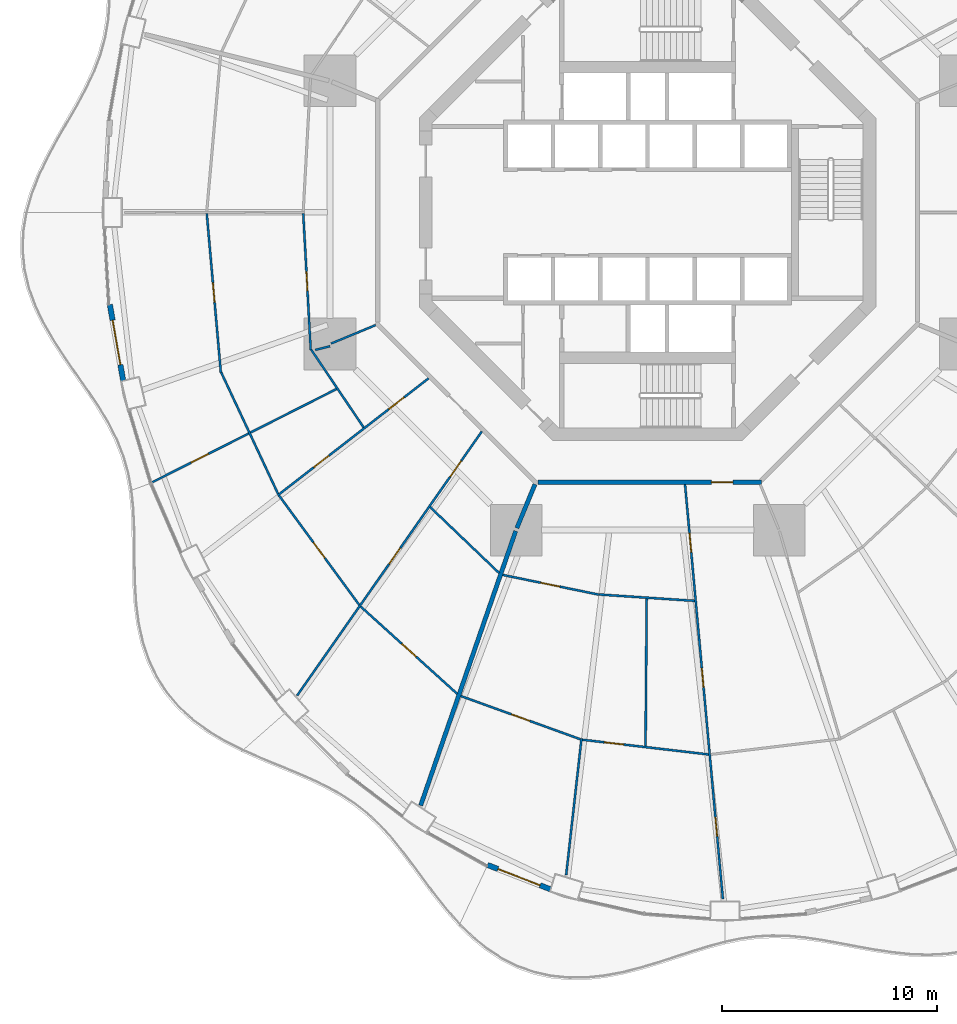
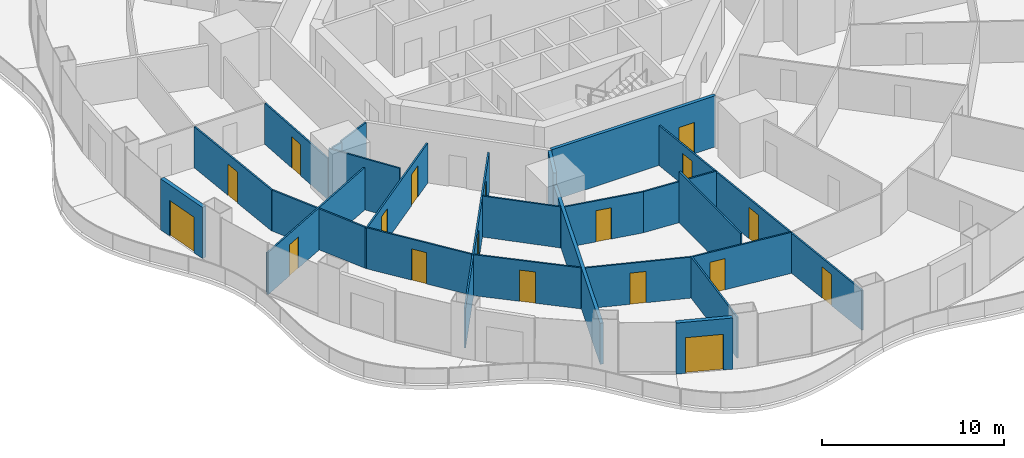
# One storey, part 14 of 22: 24 walls, 18 doors, 18 openings.
"""IFC4 building model written with IfcOpenShell, lengths in metres."""

from ifc_helpers import new_model, si_unit, direction, frame, frame_2d, origin, place, context, subcontext, project, spatial, rectangle, extrude, material, layer, layer_set, type_object, element, fill, save


model = new_model("IFC4")

# Units and contexts
model_context = context("Model", 3, precision=1e-05, world=origin(), true_north=direction((0.0, 1.0)))
body_context = subcontext(model_context, "Body", "Model", "MODEL_VIEW")
ifc_project = project(units=[si_unit("LENGTHUNIT", "METRE"), si_unit("AREAUNIT", "SQUARE_METRE"), si_unit("VOLUMEUNIT", "CUBIC_METRE"), si_unit("PLANEANGLEUNIT", "RADIAN"), si_unit("MASSUNIT", "GRAM", prefix="KILO")], contexts=[model_context])

# Site, building, storey
site_placement = place(None, origin())
site = spatial("IfcSite", under=ifc_project, at=site_placement, CompositionType="ELEMENT")
building_placement = place(site_placement, origin())
building = spatial("IfcBuilding", under=site, at=building_placement, Name="Nagisa Residences", CompositionType="ELEMENT")
storey_placement = place(building_placement, frame((0.0, 0.0, 30.699951171875)))
storey = spatial("IfcBuildingStorey", under=building, at=storey_placement, Name="L06", CompositionType="ELEMENT", Elevation=30.699951171875)

# Walls
ifc_material_1 = material(Name="Gypsum board on steel studs", Category="steel")
ifc_layer_1 = layer(ifc_material_1, 0.199951171875)
ifc_layer_set_1 = layer_set([ifc_layer_1], Name="Apartment compartment wall EI60 200")
wall_type_1 = type_object("IfcWallType", Name="Apartment compartment wall EI60 200", PredefinedType="PARTITIONING", material=ifc_layer_set_1)
wall_1_placement = place(storey_placement, frame((-5.24267578125, -12.6572265625, 0.0), z_axis=(0.0, 0.0, 1.0), x_axis=(-0.382668627144, -0.923885664896, 0.0)))
element("IfcWall", 1, at=wall_1_placement, inside=storey, type_object=wall_type_1, Name="wall:L06:u04", PredefinedType="PARTITIONING", context=body_context, shape_type="SweptSolid", body=[
    extrude(rectangle(XDim=2.200439453125, YDim=0.199951171875, at=frame_2d((1.10009765625, 0.0))), origin(), (0.0, 0.0, 1.0), 3.43994140625),
])
wall_2_placement = place(storey_placement, frame((-6.139404296875, -14.829345703125, 0.0), z_axis=(0.0, 0.0, 1.0), x_axis=(-0.327178799566, -0.944962450637, 0.0)))
element("IfcWall", 2, at=wall_2_placement, inside=storey, type_object=wall_type_1, Name="wall:L06:u05", PredefinedType="PARTITIONING", context=body_context, shape_type="SweptSolid", body=[
    extrude(rectangle(XDim=13.517333984375, YDim=0.199951171875, at=frame_2d((6.7587890625, 0.0))), origin(), (0.0, 0.0, 1.0), 2.756103515625),
])

# Wall, opening, door
ifc_material_2 = material(Name="Gypsum board on steel studs", Category="steel")
ifc_layer_2 = layer(ifc_material_2, 0.199951171875)
ifc_layer_set_2 = layer_set([ifc_layer_2], Name="Apartment entry wall EI60 200")
wall_type_2 = type_object("IfcWallType", Name="Apartment entry wall EI60 200", PredefinedType="PARTITIONING", material=ifc_layer_set_2)
wall_3_placement = place(storey_placement, frame((-5.1044921875, -12.564697265625, 0.0), z_axis=(0.0, 0.0, 1.0), x_axis=(1.0, 0.0, 0.0)))
wall_3 = element("IfcWall", 3, at=wall_3_placement, inside=storey, type_object=wall_type_2, Name="wall:L06:u14", PredefinedType="PARTITIONING", context=body_context, shape_type="SweptSolid", body=[
    extrude(rectangle(XDim=10.408935546875, YDim=0.199951171875, at=frame_2d((5.20458984375, 0.0))), origin(), (0.0, 0.0, 1.0), 3.43994140625),
])
opening_1_placement = place(wall_3_placement, frame((8.07421875, 0.0, 0.0)))
opening_1 = element("IfcOpeningElement", 4, at=opening_1_placement, cuts=wall_3, Name="Opening L06-U40", PredefinedType="OPENING", context=body_context, shape_type="SweptSolid", body=[
    extrude(rectangle(XDim=1.0, YDim=2.10009765625, at=frame_2d((0.5, 1.050048828125))), frame((0.0, 0.10986328125, 0.0), z_axis=(0.0, -1.0, 0.0), x_axis=(1.0, 0.0, 0.0)), (0.0, 0.0, 1.0), 0.219970703125),
])
ifc_material_3 = material(Name="Timber fire door set", Category="wood")
door_type_1 = type_object("IfcDoorType", Name="Apartment entry door FD30S 1000x2100", OperationType="NOTDEFINED", PredefinedType="DOOR", material=ifc_material_3)
door_1_placement = place(opening_1_placement, frame((1.0, 0.0, 0.0), x_axis=(-1.0, 0.0, 0.0)))
door_1 = element("IfcDoor", 5, at=door_1_placement, inside=storey, type_object=door_type_1, Name="Entry door, Apartment 06D", OperationType="SINGLE_SWING_LEFT", OverallHeight=2.10009765625, OverallWidth=1.0, PredefinedType="DOOR", context=body_context, shape_type="SweptSolid", body=[
    extrude(rectangle(XDim=1.0, YDim=2.10009765625, at=frame_2d((0.5, 1.050048828125))), frame((0.0, 0.02490234375, 0.0), z_axis=(0.0, -1.0, 0.0), x_axis=(1.0, 0.0, 0.0)), (0.0, 0.0, 1.0), 0.050048828125),
])
fill(opening_1, door_1)

ifc_material_4 = material(Name="Gypsum board on steel studs", Category="steel")
ifc_layer_3 = layer(ifc_material_4, 0.10009765625)
ifc_layer_set_3 = layer_set([ifc_layer_3], Name="Apartment partition 100")
wall_type_3 = type_object("IfcWallType", Name="Apartment partition 100", PredefinedType="PARTITIONING", material=ifc_layer_set_3)
wall_4_placement = place(storey_placement, frame((-16.027587890625, -0.050048828125, 0.0), z_axis=(0.0, 0.0, 1.0), x_axis=(0.054636410342, -0.998506315786, 0.0)))
wall_4 = element("IfcWall", 6, at=wall_4_placement, inside=storey, type_object=wall_type_3, Name="wall:L06:u59", PredefinedType="PARTITIONING", context=body_context, shape_type="SweptSolid", body=[
    extrude(rectangle(XDim=6.358642578125, YDim=0.10009765625, at=frame_2d((3.17919921875, 0.0))), origin(), (0.0, 0.0, 1.0), 2.756103515625),
])
opening_2_placement = place(wall_4_placement, frame((2.704345703125, 0.0, 0.0)))
opening_2 = element("IfcOpeningElement", 7, at=opening_2_placement, cuts=wall_4, Name="Opening L06-U38", PredefinedType="OPENING", context=body_context, shape_type="SweptSolid", body=[
    extrude(rectangle(XDim=0.89990234375, YDim=2.10009765625, at=frame_2d((0.449951171875, 1.050048828125))), frame((0.0, 0.06005859375, 0.0), z_axis=(0.0, -1.0, 0.0), x_axis=(1.0, 0.0, 0.0)), (0.0, 0.0, 1.0), 0.1201171875),
])
ifc_material_5 = material(Name="Timber door set", Category="wood")
door_type_2 = type_object("IfcDoorType", Name="Apartment door 900x2100", OperationType="NOTDEFINED", PredefinedType="DOOR", material=ifc_material_5)
door_2_placement = place(opening_2_placement, origin())
door_2 = element("IfcDoor", 8, at=door_2_placement, inside=storey, type_object=door_type_2, Name="Door to store, Apartment 06C", OperationType="SINGLE_SWING_RIGHT", OverallHeight=2.10009765625, OverallWidth=0.89990234375, PredefinedType="DOOR", context=body_context, shape_type="SweptSolid", body=[
    extrude(rectangle(XDim=0.89990234375, YDim=2.10009765625, at=frame_2d((0.449951171875, 1.050048828125))), frame((0.0, 0.02490234375, 0.0), z_axis=(0.0, -1.0, 0.0), x_axis=(1.0, 0.0, 0.0)), (0.0, 0.0, 1.0), 0.050048828125),
])
fill(opening_2, door_2)

wall_5_placement = place(storey_placement, frame((-20.518310546875, -0.0498046875, 0.0), z_axis=(0.0, 0.0, 1.0), x_axis=(0.088138375539, -0.996108240483, 0.0)))
wall_5 = element("IfcWall", 9, at=wall_5_placement, inside=storey, type_object=wall_type_3, Name="wall:L06:u60", PredefinedType="PARTITIONING", context=body_context, shape_type="SweptSolid", body=[
    extrude(rectangle(XDim=7.428955078125, YDim=0.10009765625, at=frame_2d((3.71435546875, 0.0))), origin(), (0.0, 0.0, 1.0), 2.756103515625),
])
opening_3_placement = place(wall_5_placement, frame((3.239501953125, 0.0, 0.0)))
opening_3 = element("IfcOpeningElement", 10, at=opening_3_placement, cuts=wall_5, Name="Opening L06-U36", PredefinedType="OPENING", context=body_context, shape_type="SweptSolid", body=[
    extrude(rectangle(XDim=0.89990234375, YDim=2.10009765625, at=frame_2d((0.449951171875, 1.050048828125))), frame((0.0, 0.06005859375, 0.0), z_axis=(0.0, -1.0, 0.0), x_axis=(1.0, 0.0, 0.0)), (0.0, 0.0, 1.0), 0.1201171875),
])
door_3_placement = place(opening_3_placement, origin())
door_3 = element("IfcDoor", 11, at=door_3_placement, inside=storey, type_object=door_type_2, Name="Door to dining room, Apartment 06C", OperationType="SINGLE_SWING_RIGHT", OverallHeight=2.10009765625, OverallWidth=0.89990234375, PredefinedType="DOOR", context=body_context, shape_type="SweptSolid", body=[
    extrude(rectangle(XDim=0.89990234375, YDim=2.10009765625, at=frame_2d((0.449951171875, 1.050048828125))), frame((0.0, 0.02490234375, 0.0), z_axis=(0.0, -1.0, 0.0), x_axis=(1.0, 0.0, 0.0)), (0.0, 0.0, 1.0), 0.050048828125),
])
fill(opening_3, door_3)

# Walls
wall_6_placement = place(storey_placement, frame((-12.6572265625, -5.24267578125, 0.0), z_axis=(0.0, 0.0, 1.0), x_axis=(-0.923864733477, -0.382719158442, 0.0)))
element("IfcWall", 12, at=wall_6_placement, inside=storey, type_object=wall_type_3, Name="wall:L06:u61", PredefinedType="PARTITIONING", context=body_context, shape_type="SweptSolid", body=[
    extrude(rectangle(XDim=2.25, YDim=0.10009765625, at=frame_2d((1.125, 0.0))), origin(), (0.0, 0.0, 1.0), 3.43994140625),
])
wall_7_placement = place(storey_placement, frame((-15.655029296875, -6.390625, 0.0), z_axis=(0.0, 0.0, 1.0), x_axis=(0.559126445155, -0.82908239538, 0.0)))
element("IfcWall", 13, at=wall_7_placement, inside=storey, type_object=wall_type_3, Name="wall:L06:u62", PredefinedType="PARTITIONING", context=body_context, shape_type="SweptSolid", body=[
    extrude(rectangle(XDim=4.358154296875, YDim=0.10009765625, at=frame_2d((2.17919921875, 0.0))), origin(), (0.0, 0.0, 1.0), 3.43994140625),
])
wall_8_placement = place(storey_placement, frame((-19.8466796875, -7.4453125, 0.0), z_axis=(0.0, 0.0, 1.0), x_axis=(0.423892287987, -0.905712607942, 0.0)))
element("IfcWall", 14, at=wall_8_placement, inside=storey, type_object=wall_type_3, Name="wall:L06:u63", PredefinedType="PARTITIONING", context=body_context, shape_type="SweptSolid", body=[
    extrude(rectangle(XDim=6.237548828125, YDim=0.10009765625, at=frame_2d((3.11865234375, 0.0))), origin(), (0.0, 0.0, 1.0), 2.756103515625),
])

# Wall, opening, door
wall_9_placement = place(storey_placement, frame((-14.481201171875, -8.2197265625, 0.0), z_axis=(0.0, 0.0, 1.0), x_axis=(-0.892232077638, -0.451577146935, 0.0)))
wall_9 = element("IfcWall", 15, at=wall_9_placement, inside=storey, type_object=wall_type_3, Name="wall:L06:u64", PredefinedType="PARTITIONING", context=body_context, shape_type="SweptSolid", body=[
    extrude(rectangle(XDim=9.723388671875, YDim=0.10009765625, at=frame_2d((4.86181640625, 0.0))), origin(), (0.0, 0.0, 1.0), 2.837158203125),
])
opening_4_placement = place(wall_9_placement, frame((6.678466796875, 0.0, 0.0)))
opening_4 = element("IfcOpeningElement", 16, at=opening_4_placement, cuts=wall_9, Name="Opening L06-U35", PredefinedType="OPENING", context=body_context, shape_type="SweptSolid", body=[
    extrude(rectangle(XDim=0.89990234375, YDim=2.10009765625, at=frame_2d((0.449951171875, 1.050048828125))), frame((0.0, 0.06005859375, 0.0), z_axis=(0.0, -1.0, 0.0), x_axis=(1.0, 0.0, 0.0)), (0.0, 0.0, 1.0), 0.1201171875),
])
door_4_placement = place(opening_4_placement, frame((0.89990234375, 0.0, 0.0), x_axis=(-1.0, 0.0, 0.0)))
door_4 = element("IfcDoor", 17, at=door_4_placement, inside=storey, type_object=door_type_2, Name="Door to family room, Apartment 06C", OperationType="SINGLE_SWING_RIGHT", OverallHeight=2.10009765625, OverallWidth=0.89990234375, PredefinedType="DOOR", context=body_context, shape_type="SweptSolid", body=[
    extrude(rectangle(XDim=0.89990234375, YDim=2.10009765625, at=frame_2d((0.449951171875, 1.050048828125))), frame((0.0, 0.02490234375, 0.0), z_axis=(0.0, -1.0, 0.0), x_axis=(1.0, 0.0, 0.0)), (0.0, 0.0, 1.0), 0.050048828125),
])
fill(opening_4, door_4)

# Wall, openings, doors
wall_10_placement = place(storey_placement, frame((-10.1904296875, -7.71923828125, 0.0), z_axis=(0.0, 0.0, 1.0), x_axis=(-0.790264549439, -0.612765813259, 0.0)))
wall_10 = element("IfcWall", 18, at=wall_10_placement, inside=storey, type_object=wall_type_3, Name="wall:L06:u65", PredefinedType="PARTITIONING", context=body_context, shape_type="SweptSolid", body=[
    extrude(rectangle(XDim=8.896484375, YDim=0.10009765625, at=frame_2d((4.4482421875, 0.0))), origin(), (0.0, 0.0, 1.0), 2.68701171875),
])
opening_5_placement = place(wall_10_placement, frame((1.447998046875, 0.0, 0.0)))
opening_5 = element("IfcOpeningElement", 19, at=opening_5_placement, cuts=wall_10, Name="Opening L06-U29", PredefinedType="OPENING", context=body_context, shape_type="SweptSolid", body=[
    extrude(rectangle(XDim=0.89990234375, YDim=2.10009765625, at=frame_2d((0.449951171875, 1.050048828125))), frame((0.0, 0.06005859375, 0.0), z_axis=(0.0, -1.0, 0.0), x_axis=(1.0, 0.0, 0.0)), (0.0, 0.0, 1.0), 0.1201171875),
])
opening_6_placement = place(wall_10_placement, frame((5.871337890625, 0.0, 0.0)))
opening_6 = element("IfcOpeningElement", 20, at=opening_6_placement, cuts=wall_10, Name="Opening L06-U31", PredefinedType="OPENING", context=body_context, shape_type="SweptSolid", body=[
    extrude(rectangle(XDim=0.89990234375, YDim=2.10009765625, at=frame_2d((0.449951171875, 1.050048828125))), frame((0.0, 0.06005859375, 0.0), z_axis=(0.0, -1.0, 0.0), x_axis=(1.0, 0.0, 0.0)), (0.0, 0.0, 1.0), 0.1201171875),
])
door_5_placement = place(opening_5_placement, frame((0.89990234375, 0.0, 0.0), x_axis=(-1.0, 0.0, 0.0)))
door_5 = element("IfcDoor", 21, at=door_5_placement, inside=storey, type_object=door_type_2, Name="Door to family bathroom, Apartment 06C", OperationType="SINGLE_SWING_RIGHT", OverallHeight=2.10009765625, OverallWidth=0.89990234375, PredefinedType="DOOR", context=body_context, shape_type="SweptSolid", body=[
    extrude(rectangle(XDim=0.89990234375, YDim=2.10009765625, at=frame_2d((0.449951171875, 1.050048828125))), frame((0.0, 0.02490234375, 0.0), z_axis=(0.0, -1.0, 0.0), x_axis=(1.0, 0.0, 0.0)), (0.0, 0.0, 1.0), 0.050048828125),
])
fill(opening_5, door_5)
door_6_placement = place(opening_6_placement, frame((0.89990234375, 0.0, 0.0), x_axis=(-1.0, 0.0, 0.0)))
door_6 = element("IfcDoor", 22, at=door_6_placement, inside=storey, type_object=door_type_2, Name="Door to family bathroom, Apartment 06C", OperationType="SINGLE_SWING_RIGHT", OverallHeight=2.10009765625, OverallWidth=0.89990234375, PredefinedType="DOOR", context=body_context, shape_type="SweptSolid", body=[
    extrude(rectangle(XDim=0.89990234375, YDim=2.10009765625, at=frame_2d((0.449951171875, 1.050048828125))), frame((0.0, 0.02490234375, 0.0), z_axis=(0.0, -1.0, 0.0), x_axis=(1.0, 0.0, 0.0)), (0.0, 0.0, 1.0), 0.050048828125),
])
fill(opening_6, door_6)

# Wall, opening, door
wall_11_placement = place(storey_placement, frame((-17.15185546875, -13.180419921875, 0.0), z_axis=(0.0, 0.0, 1.0), x_axis=(0.591222750954, -0.806508312886, 0.0)))
wall_11 = element("IfcWall", 23, at=wall_11_placement, inside=storey, type_object=wall_type_3, Name="wall:L06:u66", PredefinedType="PARTITIONING", context=body_context, shape_type="SweptSolid", body=[
    extrude(rectangle(XDim=6.309814453125, YDim=0.10009765625, at=frame_2d((3.15478515625, 0.0))), origin(), (0.0, 0.0, 1.0), 2.756103515625),
])
opening_7_placement = place(wall_11_placement, frame((2.705078125, 0.0, 0.0)))
opening_7 = element("IfcOpeningElement", 24, at=opening_7_placement, cuts=wall_11, Name="Opening L06-U33", PredefinedType="OPENING", context=body_context, shape_type="SweptSolid", body=[
    extrude(rectangle(XDim=0.89990234375, YDim=2.10009765625, at=frame_2d((0.449951171875, 1.050048828125))), frame((0.0, 0.06005859375, 0.0), z_axis=(0.0, -1.0, 0.0), x_axis=(1.0, 0.0, 0.0)), (0.0, 0.0, 1.0), 0.1201171875),
])
door_7_placement = place(opening_7_placement, frame((0.89990234375, 0.0, 0.0), x_axis=(-1.0, 0.0, 0.0)))
door_7 = element("IfcDoor", 25, at=door_7_placement, inside=storey, type_object=door_type_2, Name="Door to dining room, Apartment 06C", OperationType="SINGLE_SWING_RIGHT", OverallHeight=2.10009765625, OverallWidth=0.89990234375, PredefinedType="DOOR", context=body_context, shape_type="SweptSolid", body=[
    extrude(rectangle(XDim=0.89990234375, YDim=2.10009765625, at=frame_2d((0.449951171875, 1.050048828125))), frame((0.0, 0.02490234375, 0.0), z_axis=(0.0, -1.0, 0.0), x_axis=(1.0, 0.0, 0.0)), (0.0, 0.0, 1.0), 0.050048828125),
])
fill(opening_7, door_7)

# Wall, openings, doors
wall_12_placement = place(storey_placement, frame((-7.71533203125, -10.193359375, 0.0), z_axis=(0.0, 0.0, 1.0), x_axis=(-0.573126964124, -0.819466584428, 0.0)))
wall_12 = element("IfcWall", 26, at=wall_12_placement, inside=storey, type_object=wall_type_3, Name="wall:L06:u67", PredefinedType="PARTITIONING", context=body_context, shape_type="SweptSolid", body=[
    extrude(rectangle(XDim=15.0009765625, YDim=0.10009765625, at=frame_2d((7.50048828125, 0.0))), origin(), (0.0, 0.0, 1.0), 2.68701171875),
])
opening_8_placement = place(wall_12_placement, frame((1.678466796875, 0.0, 0.0)))
opening_8 = element("IfcOpeningElement", 27, at=opening_8_placement, cuts=wall_12, Name="Opening L06-U30", PredefinedType="OPENING", context=body_context, shape_type="SweptSolid", body=[
    extrude(rectangle(XDim=0.89990234375, YDim=2.10009765625, at=frame_2d((0.449951171875, 1.050048828125))), frame((0.0, 0.06005859375, 0.0), z_axis=(0.0, -1.0, 0.0), x_axis=(1.0, 0.0, 0.0)), (0.0, 0.0, 1.0), 0.1201171875),
])
opening_9_placement = place(wall_12_placement, frame((6.630615234375, 0.0, 0.0)))
opening_9 = element("IfcOpeningElement", 28, at=opening_9_placement, cuts=wall_12, Name="Opening L06-U32", PredefinedType="OPENING", context=body_context, shape_type="SweptSolid", body=[
    extrude(rectangle(XDim=0.89990234375, YDim=2.10009765625, at=frame_2d((0.449951171875, 1.050048828125))), frame((0.0, 0.06005859375, 0.0), z_axis=(0.0, -1.0, 0.0), x_axis=(1.0, 0.0, 0.0)), (0.0, 0.0, 1.0), 0.1201171875),
])
door_8_placement = place(opening_8_placement, origin())
door_8 = element("IfcDoor", 29, at=door_8_placement, inside=storey, type_object=door_type_2, Name="Door to family bathroom, Apartment 06C", OperationType="SINGLE_SWING_RIGHT", OverallHeight=2.10009765625, OverallWidth=0.89990234375, PredefinedType="DOOR", context=body_context, shape_type="SweptSolid", body=[
    extrude(rectangle(XDim=0.89990234375, YDim=2.10009765625, at=frame_2d((0.449951171875, 1.050048828125))), frame((0.0, 0.02490234375, 0.0), z_axis=(0.0, -1.0, 0.0), x_axis=(1.0, 0.0, 0.0)), (0.0, 0.0, 1.0), 0.050048828125),
])
fill(opening_8, door_8)
door_9_placement = place(opening_9_placement, origin())
door_9 = element("IfcDoor", 30, at=door_9_placement, inside=storey, type_object=door_type_2, Name="Door to family room, Apartment 06C", OperationType="SINGLE_SWING_RIGHT", OverallHeight=2.10009765625, OverallWidth=0.89990234375, PredefinedType="DOOR", context=body_context, shape_type="SweptSolid", body=[
    extrude(rectangle(XDim=0.89990234375, YDim=2.10009765625, at=frame_2d((0.449951171875, 1.050048828125))), frame((0.0, 0.02490234375, 0.0), z_axis=(0.0, -1.0, 0.0), x_axis=(1.0, 0.0, 0.0)), (0.0, 0.0, 1.0), 0.050048828125),
])
fill(opening_9, door_9)

# Wall
wall_13_placement = place(storey_placement, frame((-10.118896484375, -13.716064453125, 0.0), z_axis=(0.0, 0.0, 1.0), x_axis=(0.722775679202, -0.691082713975, 0.0)))
element("IfcWall", 31, at=wall_13_placement, inside=storey, type_object=wall_type_3, Name="wall:L06:u68", PredefinedType="PARTITIONING", context=body_context, shape_type="SweptSolid", body=[
    extrude(rectangle(XDim=4.43701171875, YDim=0.10009765625, at=frame_2d((2.218505859375, 0.0))), origin(), (0.0, 0.0, 1.0), 2.756103515625),
])

# Wall, opening, door
wall_14_placement = place(storey_placement, frame((-13.354736328125, -18.34326171875, 0.0), z_axis=(0.0, 0.0, 1.0), x_axis=(0.741713303551, -0.670717060567, 0.0)))
wall_14 = element("IfcWall", 32, at=wall_14_placement, inside=storey, type_object=wall_type_3, Name="wall:L06:u69", PredefinedType="PARTITIONING", context=body_context, shape_type="SweptSolid", body=[
    extrude(rectangle(XDim=6.05908203125, YDim=0.10009765625, at=frame_2d((3.029541015625, 0.0))), origin(), (0.0, 0.0, 1.0), 2.756103515625),
])
opening_10_placement = place(wall_14_placement, frame((2.57958984375, 0.0, 0.0)))
opening_10 = element("IfcOpeningElement", 33, at=opening_10_placement, cuts=wall_14, Name="Opening L06-U34", PredefinedType="OPENING", context=body_context, shape_type="SweptSolid", body=[
    extrude(rectangle(XDim=0.89990234375, YDim=2.10009765625, at=frame_2d((0.449951171875, 1.050048828125))), frame((0.0, 0.06005859375, 0.0), z_axis=(0.0, -1.0, 0.0), x_axis=(1.0, 0.0, 0.0)), (0.0, 0.0, 1.0), 0.1201171875),
])
door_10_placement = place(opening_10_placement, frame((0.89990234375, 0.0, 0.0), x_axis=(-1.0, 0.0, 0.0)))
door_10 = element("IfcDoor", 34, at=door_10_placement, inside=storey, type_object=door_type_2, Name="Door to master bedroom, Apartment 06C", OperationType="SINGLE_SWING_LEFT", OverallHeight=2.10009765625, OverallWidth=0.89990234375, PredefinedType="DOOR", context=body_context, shape_type="SweptSolid", body=[
    extrude(rectangle(XDim=0.89990234375, YDim=2.10009765625, at=frame_2d((0.449951171875, 1.050048828125))), frame((0.0, 0.02490234375, 0.0), z_axis=(0.0, -1.0, 0.0), x_axis=(1.0, 0.0, 0.0)), (0.0, 0.0, 1.0), 0.050048828125),
])
fill(opening_10, door_10)

wall_15_placement = place(storey_placement, frame((-6.741455078125, -16.871826171875, 0.0), z_axis=(0.0, 0.0, 1.0), x_axis=(0.979595137747, -0.200981009307, 0.0)))
wall_15 = element("IfcWall", 35, at=wall_15_placement, inside=storey, type_object=wall_type_3, Name="wall:L06:u70", PredefinedType="PARTITIONING", context=body_context, shape_type="SweptSolid", body=[
    extrude(rectangle(XDim=4.5625, YDim=0.10009765625, at=frame_2d((2.28125, 0.0))), origin(), (0.0, 0.0, 1.0), 2.756103515625),
])
opening_11_placement = place(wall_15_placement, frame((1.806396484375, 0.0, 0.0)))
opening_11 = element("IfcOpeningElement", 36, at=opening_11_placement, cuts=wall_15, Name="Opening L06-U44", PredefinedType="OPENING", context=body_context, shape_type="SweptSolid", body=[
    extrude(rectangle(XDim=0.89990234375, YDim=2.10009765625, at=frame_2d((0.449951171875, 1.050048828125))), frame((0.0, 0.06005859375, 0.0), z_axis=(0.0, -1.0, 0.0), x_axis=(1.0, 0.0, 0.0)), (0.0, 0.0, 1.0), 0.1201171875),
])
door_11_placement = place(opening_11_placement, frame((0.89990234375, 0.0, 0.0), x_axis=(-1.0, 0.0, 0.0)))
door_11 = element("IfcDoor", 37, at=door_11_placement, inside=storey, type_object=door_type_2, Name="Door to dining room, Apartment 06D", OperationType="SINGLE_SWING_LEFT", OverallHeight=2.10009765625, OverallWidth=0.89990234375, PredefinedType="DOOR", context=body_context, shape_type="SweptSolid", body=[
    extrude(rectangle(XDim=0.89990234375, YDim=2.10009765625, at=frame_2d((0.449951171875, 1.050048828125))), frame((0.0, 0.02490234375, 0.0), z_axis=(0.0, -1.0, 0.0), x_axis=(1.0, 0.0, 0.0)), (0.0, 0.0, 1.0), 0.050048828125),
])
fill(opening_11, door_11)

wall_16_placement = place(storey_placement, frame((-8.6923828125, -22.50830078125, 0.0), z_axis=(0.0, 0.0, 1.0), x_axis=(0.940401494588, -0.340066212636, 0.0)))
wall_16 = element("IfcWall", 38, at=wall_16_placement, inside=storey, type_object=wall_type_3, Name="wall:L06:u71", PredefinedType="PARTITIONING", context=body_context, shape_type="SweptSolid", body=[
    extrude(rectangle(XDim=5.9169921875, YDim=0.10009765625, at=frame_2d((2.95849609375, 0.0))), origin(), (0.0, 0.0, 1.0), 2.756103515625),
])
opening_12_placement = place(wall_16_placement, frame((2.508544921875, 0.0, 0.0)))
opening_12 = element("IfcOpeningElement", 39, at=opening_12_placement, cuts=wall_16, Name="Opening L06-U49", PredefinedType="OPENING", context=body_context, shape_type="SweptSolid", body=[
    extrude(rectangle(XDim=0.89990234375, YDim=2.10009765625, at=frame_2d((0.449951171875, 1.050048828125))), frame((0.0, 0.06005859375, 0.0), z_axis=(0.0, -1.0, 0.0), x_axis=(1.0, 0.0, 0.0)), (0.0, 0.0, 1.0), 0.1201171875),
])
door_12_placement = place(opening_12_placement, frame((0.89990234375, 0.0, 0.0), x_axis=(-1.0, 0.0, 0.0)))
door_12 = element("IfcDoor", 40, at=door_12_placement, inside=storey, type_object=door_type_2, Name="Door to master bedroom, Apartment 06D", OperationType="SINGLE_SWING_RIGHT", OverallHeight=2.10009765625, OverallWidth=0.89990234375, PredefinedType="DOOR", context=body_context, shape_type="SweptSolid", body=[
    extrude(rectangle(XDim=0.89990234375, YDim=2.10009765625, at=frame_2d((0.449951171875, 1.050048828125))), frame((0.0, 0.02490234375, 0.0), z_axis=(0.0, -1.0, 0.0), x_axis=(1.0, 0.0, 0.0)), (0.0, 0.0, 1.0), 0.050048828125),
])
fill(opening_12, door_12)

# Walls
wall_17_placement = place(storey_placement, frame((-2.27099609375, -17.781982421875, 0.0), z_axis=(0.0, 0.0, 1.0), x_axis=(0.997791437766, -0.066424744789, 0.0)))
element("IfcWall", 41, at=wall_17_placement, inside=storey, type_object=wall_type_3, Name="wall:L06:u72", PredefinedType="PARTITIONING", context=body_context, shape_type="SweptSolid", body=[
    extrude(rectangle(XDim=4.46923828125, YDim=0.10009765625, at=frame_2d((2.234619140625, 0.0))), origin(), (0.0, 0.0, 1.0), 2.756103515625),
])
wall_18_placement = place(storey_placement, frame((-3.0751953125, -24.48779296875, 0.0), z_axis=(0.0, 0.0, 1.0), x_axis=(-0.111705235978, -0.993741384997, 0.0)))
element("IfcWall", 42, at=wall_18_placement, inside=storey, type_object=wall_type_3, Name="wall:L06:u73", PredefinedType="PARTITIONING", context=body_context, shape_type="SweptSolid", body=[
    extrude(rectangle(XDim=6.39501953125, YDim=0.10009765625, at=frame_2d((3.197509765625, 0.0))), origin(), (0.0, 0.0, 1.0), 2.756103515625),
])

# Wall, opening, door
wall_19_placement = place(storey_placement, frame((-3.03125, -24.543212890625, 0.0), z_axis=(0.0, 0.0, 1.0), x_axis=(0.993255612046, -0.115945198862, 0.0)))
wall_19 = element("IfcWall", 43, at=wall_19_placement, inside=storey, type_object=wall_type_3, Name="wall:L06:u74", PredefinedType="PARTITIONING", context=body_context, shape_type="SweptSolid", body=[
    extrude(rectangle(XDim=5.91259765625, YDim=0.10009765625, at=frame_2d((2.956298828125, 0.0))), origin(), (0.0, 0.0, 1.0), 2.756103515625),
])
opening_13_placement = place(wall_19_placement, frame((1.028076171875, 0.0, 0.0)))
opening_13 = element("IfcOpeningElement", 44, at=opening_13_placement, cuts=wall_19, Name="Opening L06-U50", PredefinedType="OPENING", context=body_context, shape_type="SweptSolid", body=[
    extrude(rectangle(XDim=0.89990234375, YDim=2.10009765625, at=frame_2d((0.449951171875, 1.050048828125))), frame((0.0, 0.06005859375, 0.0), z_axis=(0.0, -1.0, 0.0), x_axis=(1.0, 0.0, 0.0)), (0.0, 0.0, 1.0), 0.1201171875),
])
door_13_placement = place(opening_13_placement, frame((0.89990234375, 0.0, 0.0), x_axis=(-1.0, 0.0, 0.0)))
door_13 = element("IfcDoor", 45, at=door_13_placement, inside=storey, type_object=door_type_2, Name="Door to family room, Apartment 06D", OperationType="SINGLE_SWING_LEFT", OverallHeight=2.10009765625, OverallWidth=0.89990234375, PredefinedType="DOOR", context=body_context, shape_type="SweptSolid", body=[
    extrude(rectangle(XDim=0.89990234375, YDim=2.10009765625, at=frame_2d((0.449951171875, 1.050048828125))), frame((0.0, 0.02490234375, 0.0), z_axis=(0.0, -1.0, 0.0), x_axis=(1.0, 0.0, 0.0)), (0.0, 0.0, 1.0), 0.050048828125),
])
fill(opening_13, door_13)

# Wall
wall_20_placement = place(storey_placement, frame((-0.041748046875, -17.98046875, 0.0), z_axis=(0.0, 0.0, 1.0), x_axis=(-0.007692080119, -0.999970415514, 0.0)))
element("IfcWall", 46, at=wall_20_placement, inside=storey, type_object=wall_type_3, Name="wall:L06:u75", PredefinedType="PARTITIONING", context=body_context, shape_type="SweptSolid", body=[
    extrude(rectangle(XDim=6.855712890625, YDim=0.10009765625, at=frame_2d((3.427734375, 0.0))), origin(), (0.0, 0.0, 1.0), 3.43994140625),
])

# Wall, openings, doors
wall_21_placement = place(storey_placement, frame((1.743896484375, -12.664306640625, 0.0), z_axis=(0.0, 0.0, 1.0), x_axis=(0.090893639596, -0.995860605849, 0.0)))
wall_21 = element("IfcWall", 47, at=wall_21_placement, inside=storey, type_object=wall_type_3, Name="wall:L06:u76", PredefinedType="PARTITIONING", context=body_context, shape_type="SweptSolid", body=[
    extrude(rectangle(XDim=19.3740234375, YDim=0.10009765625, at=frame_2d((9.68701171875, 0.0))), origin(), (0.0, 0.0, 1.0), 2.68701171875),
])
opening_14_placement = place(wall_21_placement, frame((2.270263671875, 0.0, 0.0)))
opening_14 = element("IfcOpeningElement", 48, at=opening_14_placement, cuts=wall_21, Name="Opening L06-U41", PredefinedType="OPENING", context=body_context, shape_type="SweptSolid", body=[
    extrude(rectangle(XDim=0.89990234375, YDim=2.10009765625, at=frame_2d((0.449951171875, 1.050048828125))), frame((0.0, 0.06005859375, 0.0), z_axis=(0.0, -1.0, 0.0), x_axis=(1.0, 0.0, 0.0)), (0.0, 0.0, 1.0), 0.1201171875),
])
opening_15_placement = place(wall_21_placement, frame((8.58154296875, 0.0, 0.0)))
opening_15 = element("IfcOpeningElement", 49, at=opening_15_placement, cuts=wall_21, Name="Opening L06-U45", PredefinedType="OPENING", context=body_context, shape_type="SweptSolid", body=[
    extrude(rectangle(XDim=0.89990234375, YDim=2.10009765625, at=frame_2d((0.449951171875, 1.050048828125))), frame((0.0, 0.06005859375, 0.0), z_axis=(0.0, -1.0, 0.0), x_axis=(1.0, 0.0, 0.0)), (0.0, 0.0, 1.0), 0.1201171875),
])
opening_16_placement = place(wall_21_placement, frame((15.54833984375, 0.0, 0.0)))
opening_16 = element("IfcOpeningElement", 50, at=opening_16_placement, cuts=wall_21, Name="Opening L06-U51", PredefinedType="OPENING", context=body_context, shape_type="SweptSolid", body=[
    extrude(rectangle(XDim=0.89990234375, YDim=2.10009765625, at=frame_2d((0.449951171875, 1.050048828125))), frame((0.0, 0.06005859375, 0.0), z_axis=(0.0, -1.0, 0.0), x_axis=(1.0, 0.0, 0.0)), (0.0, 0.0, 1.0), 0.1201171875),
])
door_14_placement = place(opening_14_placement, frame((0.89990234375, 0.0, 0.0), x_axis=(-1.0, 0.0, 0.0)))
door_14 = element("IfcDoor", 51, at=door_14_placement, inside=storey, type_object=door_type_2, Name="Door to store, Apartment 06D", OperationType="SINGLE_SWING_RIGHT", OverallHeight=2.10009765625, OverallWidth=0.89990234375, PredefinedType="DOOR", context=body_context, shape_type="SweptSolid", body=[
    extrude(rectangle(XDim=0.89990234375, YDim=2.10009765625, at=frame_2d((0.449951171875, 1.050048828125))), frame((0.0, 0.02490234375, 0.0), z_axis=(0.0, -1.0, 0.0), x_axis=(1.0, 0.0, 0.0)), (0.0, 0.0, 1.0), 0.050048828125),
])
fill(opening_14, door_14)
door_15_placement = place(opening_15_placement, frame((0.89990234375, 0.0, 0.0), x_axis=(-1.0, 0.0, 0.0)))
door_15 = element("IfcDoor", 52, at=door_15_placement, inside=storey, type_object=door_type_2, Name="Door to family bathroom, Apartment 06D", OperationType="SINGLE_SWING_RIGHT", OverallHeight=2.10009765625, OverallWidth=0.89990234375, PredefinedType="DOOR", context=body_context, shape_type="SweptSolid", body=[
    extrude(rectangle(XDim=0.89990234375, YDim=2.10009765625, at=frame_2d((0.449951171875, 1.050048828125))), frame((0.0, 0.02490234375, 0.0), z_axis=(0.0, -1.0, 0.0), x_axis=(1.0, 0.0, 0.0)), (0.0, 0.0, 1.0), 0.050048828125),
])
fill(opening_15, door_15)
door_16_placement = place(opening_16_placement, origin())
door_16 = element("IfcDoor", 53, at=door_16_placement, inside=storey, type_object=door_type_2, Name="Door to dining room, Apartment 06D", OperationType="SINGLE_SWING_LEFT", OverallHeight=2.10009765625, OverallWidth=0.89990234375, PredefinedType="DOOR", context=body_context, shape_type="SweptSolid", body=[
    extrude(rectangle(XDim=0.89990234375, YDim=2.10009765625, at=frame_2d((0.449951171875, 1.050048828125))), frame((0.0, 0.02490234375, 0.0), z_axis=(0.0, -1.0, 0.0), x_axis=(1.0, 0.0, 0.0)), (0.0, 0.0, 1.0), 0.050048828125),
])
fill(opening_16, door_16)

# Wall
wall_22_placement = place(storey_placement, frame((-15.46875, -6.3984375, 0.0), z_axis=(0.0, 0.0, 1.0), x_axis=(0.969858002632, 0.243670791706, 0.0)))
element("IfcWall", 54, at=wall_22_placement, inside=storey, type_object=wall_type_3, Name="wall:L06:u92", PredefinedType="PARTITIONING", context=body_context, shape_type="SweptSolid", body=[
    extrude(rectangle(XDim=0.708251953125, YDim=0.10009765625, at=frame_2d((0.35400390625, 0.0))), origin(), (0.0, 0.0, 1.0), 3.43994140625),
])

# Wall, opening, door
ifc_material_6 = material(Name="Precast concrete C40/50", Category="concrete")
ifc_layer_4 = layer(ifc_material_6, 0.25)
ifc_layer_set_4 = layer_set([ifc_layer_4], Name="BALCONY DOOR WALL 250")
wall_type_4 = type_object("IfcWallType", Name="BALCONY DOOR WALL 250", PredefinedType="SOLIDWALL", material=ifc_layer_set_4)
wall_23_placement = place(storey_placement, frame((-24.4091796875, -7.830078125, 0.0), z_axis=(0.0, 0.0, 1.0), x_axis=(-0.172217377323, 0.98505897029, 0.0)))
wall_23 = element("IfcWall", 55, at=wall_23_placement, inside=storey, type_object=wall_type_4, Name="wall:L06:bay25", PredefinedType="SOLIDWALL", context=body_context, shape_type="SweptSolid", body=[
    extrude(rectangle(XDim=3.597900390625, YDim=0.25, at=frame_2d((1.798828125, 0.0))), origin(), (0.0, 0.0, 1.0), 3.43994140625),
])
opening_17_placement = place(wall_23_placement, frame((0.7490234375, 0.0, 0.0)))
opening_17 = element("IfcOpeningElement", 56, at=opening_17_placement, cuts=wall_23, Name="Opening BD-L06-09", PredefinedType="OPENING", context=body_context, shape_type="SweptSolid", body=[
    extrude(rectangle(XDim=2.10009765625, YDim=2.39990234375, at=frame_2d((1.050048828125, 1.199951171875))), frame((0.0, 0.135009765625, 0.0), z_axis=(0.0, -1.0, 0.0), x_axis=(1.0, 0.0, 0.0)), (0.0, 0.0, 1.0), 0.27001953125),
])
ifc_material_7 = material(Name="Aluminium and clear glass", Category="aluminium")
door_type_3 = type_object("IfcDoorType", Name="BALCONY SLIDING DOOR 2100x2400", OperationType="SLIDING_TO_LEFT", PredefinedType="DOOR", material=ifc_material_7)
door_17_placement = place(opening_17_placement, origin())
door_17 = element("IfcDoor", 57, at=door_17_placement, inside=storey, type_object=door_type_3, Name="door:L06:bay25", OperationType="SLIDING_TO_LEFT", OverallHeight=2.39990234375, OverallWidth=2.10009765625, PredefinedType="DOOR", context=body_context, shape_type="SweptSolid", body=[
    extrude(rectangle(XDim=2.10009765625, YDim=2.39990234375, at=frame_2d((1.050048828125, 1.199951171875))), frame((0.0, 0.02490234375, 0.0), z_axis=(0.0, -1.0, 0.0), x_axis=(1.0, 0.0, 0.0)), (0.0, 0.0, 1.0), 0.050048828125),
])
fill(opening_17, door_17)

wall_24_placement = place(storey_placement, frame((-4.513671875, -31.5068359375, 0.0), z_axis=(0.0, 0.0, 1.0), x_axis=(-0.932809381943, 0.360370166577, 0.0)))
wall_24 = element("IfcWall", 58, at=wall_24_placement, inside=storey, type_object=wall_type_4, Name="wall:L06:bay33", PredefinedType="SOLIDWALL", context=body_context, shape_type="SweptSolid", body=[
    extrude(rectangle(XDim=3.15087890625, YDim=0.25, at=frame_2d((1.575439453125, 0.0))), origin(), (0.0, 0.0, 1.0), 3.43994140625),
])
opening_18_placement = place(wall_24_placement, frame((0.525390625, 0.0, 0.0)))
opening_18 = element("IfcOpeningElement", 59, at=opening_18_placement, cuts=wall_24, Name="Opening BD-L06-12", PredefinedType="OPENING", context=body_context, shape_type="SweptSolid", body=[
    extrude(rectangle(XDim=2.10009765625, YDim=2.39990234375, at=frame_2d((1.050048828125, 1.199951171875))), frame((0.0, 0.135009765625, 0.0), z_axis=(0.0, -1.0, 0.0), x_axis=(1.0, 0.0, 0.0)), (0.0, 0.0, 1.0), 0.27001953125),
])
door_18_placement = place(opening_18_placement, origin())
door_18 = element("IfcDoor", 60, at=door_18_placement, inside=storey, type_object=door_type_3, Name="door:L06:bay33", OperationType="SLIDING_TO_LEFT", OverallHeight=2.39990234375, OverallWidth=2.10009765625, PredefinedType="DOOR", context=body_context, shape_type="SweptSolid", body=[
    extrude(rectangle(XDim=2.10009765625, YDim=2.39990234375, at=frame_2d((1.050048828125, 1.199951171875))), frame((0.0, 0.02490234375, 0.0), z_axis=(0.0, -1.0, 0.0), x_axis=(1.0, 0.0, 0.0)), (0.0, 0.0, 1.0), 0.050048828125),
])
fill(opening_18, door_18)

save(model, "model.ifc")
